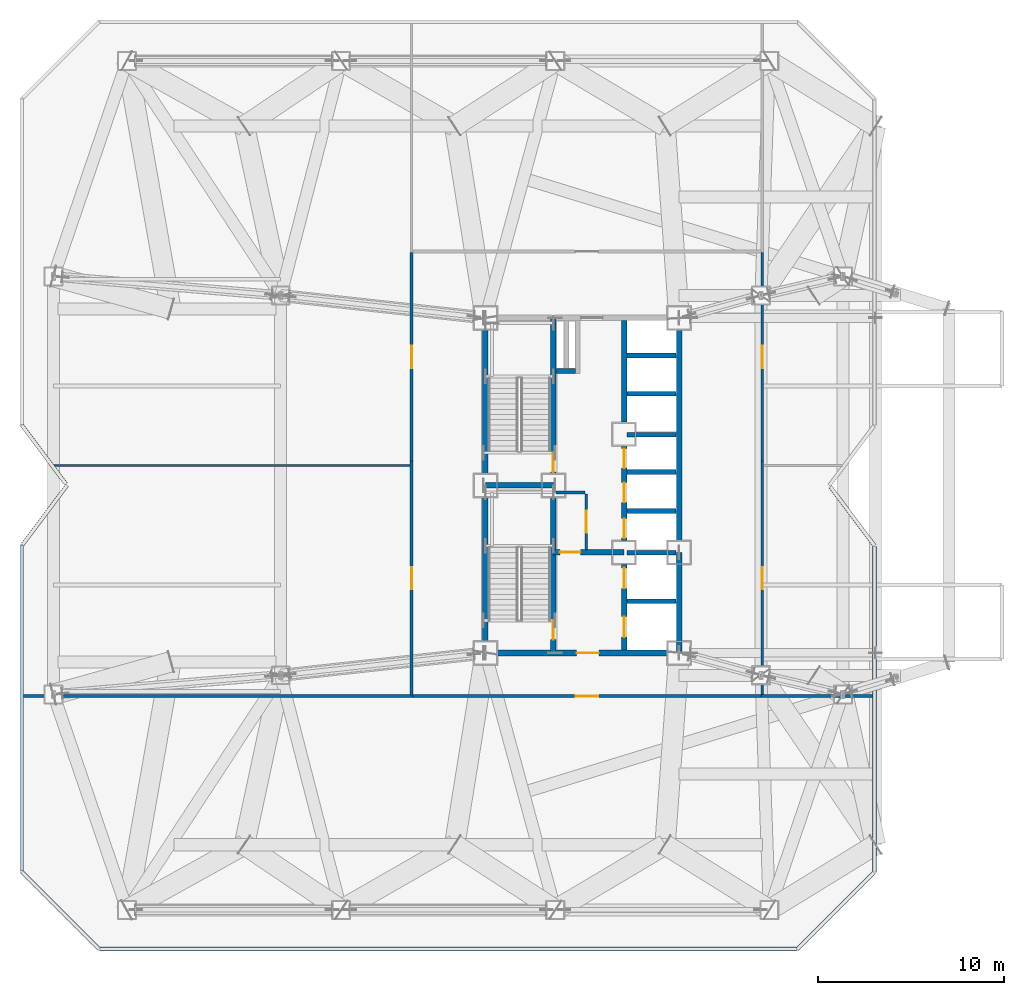
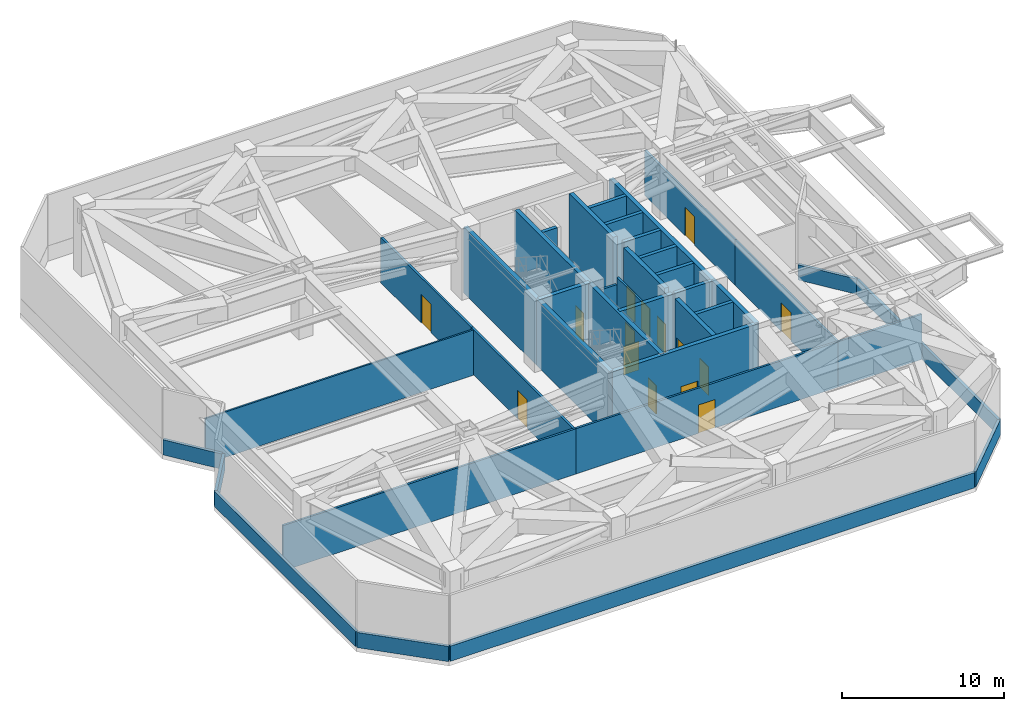
# One storey, part 14 of 18: 38 walls, 15 doors, 15 openings.
"""IFC4 building model written with IfcOpenShell, lengths in metres."""

from ifc_helpers import new_model, si_unit, direction, frame, frame_2d, origin, place, context, subcontext, project, spatial, rectangle, extrude, material, layer, layer_set, type_object, element, fill, save


model = new_model("IFC4")

# Units and contexts
model_context = context("Model", 3, precision=1e-05, world=origin(), true_north=direction((0.0, 1.0)))
body_context = subcontext(model_context, "Body", "Model", "MODEL_VIEW")
ifc_project = project(units=[si_unit("LENGTHUNIT", "METRE"), si_unit("AREAUNIT", "SQUARE_METRE"), si_unit("VOLUMEUNIT", "CUBIC_METRE"), si_unit("PLANEANGLEUNIT", "RADIAN"), si_unit("MASSUNIT", "GRAM", prefix="KILO")], contexts=[model_context])

# Site, building, storey
site_placement = place(None, origin())
site = spatial("IfcSite", under=ifc_project, at=site_placement, CompositionType="ELEMENT")
building_placement = place(site_placement, origin())
building = spatial("IfcBuilding", under=site, at=building_placement, Name="Khamvora Tower", CompositionType="ELEMENT")
storey_placement = place(building_placement, frame((0.0, 0.0, 84.39990234375)))
storey = spatial("IfcBuildingStorey", under=building, at=storey_placement, Name="L21", CompositionType="ELEMENT", Elevation=84.39990234375)

# Walls
ifc_material_1 = material(Name="Concrete C50/60", Category="concrete")
ifc_layer_1 = layer(ifc_material_1, 0.300048828125)
ifc_layer_set_1 = layer_set([ifc_layer_1], Name="Concrete C50/60")
wall_type_1 = type_object("IfcWallType", Name="WAL-CORE-300", PredefinedType="SHEAR", material=ifc_layer_set_1)
for number, where, z_axis, x_axis, name in (
    (1, (29.0, 19.0, 0.0), (0.0, 0.0, 1.0), (0.0, 1.0, 0.0), "L21 central core west south wall"),
    (2, (29.0, 28.0, 0.0), (0.0, 0.0, 1.0), (0.0, 1.0, 0.0), "L21 central core west north wall"),
):
    element("IfcWall", number, at=place(storey_placement, frame(where, z_axis=z_axis, x_axis=x_axis)), inside=storey, type_object=wall_type_1, Name=name, PredefinedType="SHEAR", context=body_context, shape_type="SweptSolid", body=[
        extrude(rectangle(XDim=9.0, YDim=0.300048828125, at=frame_2d((4.5, 0.0))), origin(), (0.0, 0.0, 1.0), 4.97998046875),
    ])

# Wall, opening, door
wall_1_placement = place(storey_placement, frame((29.0, 19.0, 0.0), z_axis=(0.0, 0.0, 1.0), x_axis=(1.0, 0.0, 0.0)))
wall_1 = element("IfcWall", 3, at=wall_1_placement, inside=storey, type_object=wall_type_1, Name="L21 central core south wall", PredefinedType="SHEAR", context=body_context, shape_type="SweptSolid", body=[
    extrude(rectangle(XDim=10.39990234375, YDim=0.300048828125, at=frame_2d((5.199951171875, 0.0))), origin(), (0.0, 0.0, 1.0), 4.97998046875),
])
opening_1_placement = place(wall_1_placement, frame((4.89990234375, 0.0, 0.0)))
opening_1 = element("IfcOpeningElement", 4, at=opening_1_placement, cuts=wall_1, Name="Opening D-CR1", PredefinedType="OPENING", context=body_context, shape_type="SweptSolid", body=[
    extrude(rectangle(XDim=1.199951171875, YDim=2.14990234375, at=frame_2d((0.60009765625, 1.074951171875))), frame((0.0, 0.159912109375, 0.0), z_axis=(0.0, -1.0, 0.0), x_axis=(1.0, 0.0, 0.0)), (0.0, 0.0, 1.0), 0.320068359375),
])
ifc_material_2 = material(Name="Powder-Coated Steel and Hardwood Leaf", Category="steel")
door_type_1 = type_object("IfcDoorType", Name="DOR-CORR-1200", OperationType="NOTDEFINED", PredefinedType="DOOR", material=ifc_material_2)
door_1_placement = place(opening_1_placement, origin())
door_1 = element("IfcDoor", 5, at=door_1_placement, inside=storey, type_object=door_type_1, Name="L21 south core lobby to corridor fire door", OperationType="SINGLE_SWING_RIGHT", OverallHeight=2.14990234375, OverallWidth=1.199951171875, PredefinedType="DOOR", context=body_context, shape_type="SweptSolid", body=[
    extrude(rectangle(XDim=1.199951171875, YDim=2.14990234375, at=frame_2d((0.60009765625, 1.074951171875))), frame((0.0, 0.02490234375, 0.0), z_axis=(0.0, -1.0, 0.0), x_axis=(1.0, 0.0, 0.0)), (0.0, 0.0, 1.0), 0.050048828125),
])
fill(opening_1, door_1)

# Walls
wall_2_placement = place(storey_placement, frame((39.39990234375, 19.0, 0.0), z_axis=(0.0, 0.0, 1.0), x_axis=(0.0, 1.0, 0.0)))
element("IfcWall", 6, at=wall_2_placement, inside=storey, type_object=wall_type_1, Name="L21 central core east south wall", PredefinedType="SHEAR", context=body_context, shape_type="SweptSolid", body=[
    extrude(rectangle(XDim=5.39990234375, YDim=0.300048828125, at=frame_2d((2.699951171875, 0.0))), origin(), (0.0, 0.0, 1.0), 4.97998046875),
])
wall_3_placement = place(storey_placement, frame((39.39990234375, 24.39990234375, 0.0), z_axis=(0.0, 0.0, 1.0), x_axis=(0.0, 1.0, 0.0)))
element("IfcWall", 7, at=wall_3_placement, inside=storey, type_object=wall_type_1, Name="L21 central core east north wall", PredefinedType="SHEAR", context=body_context, shape_type="SweptSolid", body=[
    extrude(rectangle(XDim=12.60009765625, YDim=0.300048828125, at=frame_2d((6.300048828125, 0.0))), origin(), (0.0, 0.0, 1.0), 4.97998046875),
])

# Wall, opening, door
wall_4_placement = place(storey_placement, frame((32.64990234375, 19.0, 0.0), z_axis=(0.0, 0.0, 1.0), x_axis=(0.0, 1.0, 0.0)))
wall_4 = element("IfcWall", 8, at=wall_4_placement, inside=storey, type_object=wall_type_1, Name="L21 central core stair south spine wall", PredefinedType="SHEAR", context=body_context, shape_type="SweptSolid", body=[
    extrude(rectangle(XDim=9.0, YDim=0.300048828125, at=frame_2d((4.5, 0.0))), origin(), (0.0, 0.0, 1.0), 4.97998046875),
])
opening_2_placement = place(wall_4_placement, frame((0.719970703125, 0.0, 0.0)))
opening_2 = element("IfcOpeningElement", 9, at=opening_2_placement, cuts=wall_4, Name="Opening D-ST1", PredefinedType="OPENING", context=body_context, shape_type="SweptSolid", body=[
    extrude(rectangle(XDim=1.0, YDim=2.14990234375, at=frame_2d((0.5, 1.074951171875))), frame((0.0, 0.159912109375, 0.0), z_axis=(0.0, -1.0, 0.0), x_axis=(1.0, 0.0, 0.0)), (0.0, 0.0, 1.0), 0.320068359375),
])
door_type_2 = type_object("IfcDoorType", Name="DOR-STAIR-1000", OperationType="NOTDEFINED", PredefinedType="DOOR", material=ifc_material_2)
door_2_placement = place(opening_2_placement, origin())
door_2 = element("IfcDoor", 10, at=door_2_placement, inside=storey, type_object=door_type_2, Name="L21 exit stair ST-01 fire door", OperationType="SINGLE_SWING_RIGHT", OverallHeight=2.14990234375, OverallWidth=1.0, PredefinedType="DOOR", context=body_context, shape_type="SweptSolid", body=[
    extrude(rectangle(XDim=1.0, YDim=2.14990234375, at=frame_2d((0.5, 1.074951171875))), frame((0.0, 0.02490234375, 0.0), z_axis=(0.0, -1.0, 0.0), x_axis=(1.0, 0.0, 0.0)), (0.0, 0.0, 1.0), 0.050048828125),
])
fill(opening_2, door_2)

wall_5_placement = place(storey_placement, frame((32.64990234375, 28.0, 0.0), z_axis=(0.0, 0.0, 1.0), x_axis=(0.0, 1.0, 0.0)))
wall_5 = element("IfcWall", 11, at=wall_5_placement, inside=storey, type_object=wall_type_1, Name="L21 central core stair north spine wall", PredefinedType="SHEAR", context=body_context, shape_type="SweptSolid", body=[
    extrude(rectangle(XDim=9.0, YDim=0.300048828125, at=frame_2d((4.5, 0.0))), origin(), (0.0, 0.0, 1.0), 4.97998046875),
])
opening_3_placement = place(wall_5_placement, frame((0.719970703125, 0.0, 0.0)))
opening_3 = element("IfcOpeningElement", 12, at=opening_3_placement, cuts=wall_5, Name="Opening D-ST1", PredefinedType="OPENING", context=body_context, shape_type="SweptSolid", body=[
    extrude(rectangle(XDim=1.0, YDim=2.14990234375, at=frame_2d((0.5, 1.074951171875))), frame((0.0, 0.159912109375, 0.0), z_axis=(0.0, -1.0, 0.0), x_axis=(1.0, 0.0, 0.0)), (0.0, 0.0, 1.0), 0.320068359375),
])
door_3_placement = place(opening_3_placement, origin())
door_3 = element("IfcDoor", 13, at=door_3_placement, inside=storey, type_object=door_type_2, Name="L21 exit stair ST-02 fire door", OperationType="SINGLE_SWING_RIGHT", OverallHeight=2.14990234375, OverallWidth=1.0, PredefinedType="DOOR", context=body_context, shape_type="SweptSolid", body=[
    extrude(rectangle(XDim=1.0, YDim=2.14990234375, at=frame_2d((0.5, 1.074951171875))), frame((0.0, 0.02490234375, 0.0), z_axis=(0.0, -1.0, 0.0), x_axis=(1.0, 0.0, 0.0)), (0.0, 0.0, 1.0), 0.050048828125),
])
fill(opening_3, door_3)

# Wall
wall_6_placement = place(storey_placement, frame((29.0, 28.0, 0.0), z_axis=(0.0, 0.0, 1.0), x_axis=(1.0, 0.0, 0.0)))
element("IfcWall", 14, at=wall_6_placement, inside=storey, type_object=wall_type_1, Name="L21 central core stair cross wall", PredefinedType="SHEAR", context=body_context, shape_type="SweptSolid", body=[
    extrude(rectangle(XDim=3.64990234375, YDim=0.300048828125, at=frame_2d((1.824951171875, 0.0))), origin(), (0.0, 0.0, 1.0), 4.97998046875),
])

# Wall, opening, door
wall_7_placement = place(storey_placement, frame((32.64990234375, 24.39990234375, 0.0), z_axis=(0.0, 0.0, 1.0), x_axis=(1.0, 0.0, 0.0)))
wall_7 = element("IfcWall", 15, at=wall_7_placement, inside=storey, type_object=wall_type_1, Name="L21 central core firefighting lobby north wall", PredefinedType="SHEAR", context=body_context, shape_type="SweptSolid", body=[
    extrude(rectangle(XDim=3.800048828125, YDim=0.300048828125, at=frame_2d((1.89990234375, 0.0))), origin(), (0.0, 0.0, 1.0), 4.97998046875),
])
opening_4_placement = place(wall_7_placement, frame((0.35009765625, 0.0, 0.0)))
opening_4 = element("IfcOpeningElement", 16, at=opening_4_placement, cuts=wall_7, Name="Opening D-FF1", PredefinedType="OPENING", context=body_context, shape_type="SweptSolid", body=[
    extrude(rectangle(XDim=1.10009765625, YDim=2.14990234375, at=frame_2d((0.550048828125, 1.074951171875))), frame((0.0, 0.159912109375, 0.0), z_axis=(0.0, -1.0, 0.0), x_axis=(1.0, 0.0, 0.0)), (0.0, 0.0, 1.0), 0.320068359375),
])
door_type_3 = type_object("IfcDoorType", Name="DOR-FFLOB-1100", OperationType="NOTDEFINED", PredefinedType="DOOR", material=ifc_material_2)
door_4_placement = place(opening_4_placement, origin())
door_4 = element("IfcDoor", 17, at=door_4_placement, inside=storey, type_object=door_type_3, Name="L21 firefighting lobby smoke-seal fire door", OperationType="SINGLE_SWING_LEFT", OverallHeight=2.14990234375, OverallWidth=1.10009765625, PredefinedType="DOOR", context=body_context, shape_type="SweptSolid", body=[
    extrude(rectangle(XDim=1.10009765625, YDim=2.14990234375, at=frame_2d((0.550048828125, 1.074951171875))), frame((0.0, 0.02490234375, 0.0), z_axis=(0.0, -1.0, 0.0), x_axis=(1.0, 0.0, 0.0)), (0.0, 0.0, 1.0), 0.050048828125),
])
fill(opening_4, door_4)

# Wall, openings, doors
wall_8_placement = place(storey_placement, frame((36.449951171875, 19.154052734375, 0.0), z_axis=(0.0, 0.0, 1.0), x_axis=(0.0, 1.0, 0.0)))
wall_8 = element("IfcWall", 18, at=wall_8_placement, inside=storey, type_object=wall_type_1, Name="L21 central core lift bank south wall", PredefinedType="SHEAR", context=body_context, shape_type="SweptSolid", body=[
    extrude(rectangle(XDim=4.595947265625, YDim=0.300048828125, at=frame_2d((2.2978515625, 0.0))), origin(), (0.0, 0.0, 1.0), 4.97998046875),
])
opening_5_placement = place(wall_8_placement, frame((0.696044921875, 0.0, 0.0)))
opening_5 = element("IfcOpeningElement", 19, at=opening_5_placement, cuts=wall_8, Name="Opening LD-FFL", PredefinedType="OPENING", context=body_context, shape_type="SweptSolid", body=[
    extrude(rectangle(XDim=1.10009765625, YDim=2.14990234375, at=frame_2d((0.550048828125, 1.074951171875))), frame((0.0, 0.159912109375, 0.0), z_axis=(0.0, -1.0, 0.0), x_axis=(1.0, 0.0, 0.0)), (0.0, 0.0, 1.0), 0.320068359375),
])
opening_6_placement = place(wall_8_placement, frame((3.31591796875, 0.0, 0.0)))
opening_6 = element("IfcOpeningElement", 20, at=opening_6_placement, cuts=wall_8, Name="Opening LD-FFL", PredefinedType="OPENING", context=body_context, shape_type="SweptSolid", body=[
    extrude(rectangle(XDim=1.10009765625, YDim=2.14990234375, at=frame_2d((0.550048828125, 1.074951171875))), frame((0.0, 0.159912109375, 0.0), z_axis=(0.0, -1.0, 0.0), x_axis=(1.0, 0.0, 0.0)), (0.0, 0.0, 1.0), 0.320068359375),
])
door_type_4 = type_object("IfcDoorType", Name="DOR-LIFT-1100", OperationType="SLIDING_TO_LEFT", PredefinedType="DOOR", material=ifc_material_2)
door_5_placement = place(opening_5_placement, origin())
door_5 = element("IfcDoor", 21, at=door_5_placement, inside=storey, type_object=door_type_4, Name="L21 lift landing sliding door FFL-01", OperationType="SLIDING_TO_LEFT", OverallHeight=2.14990234375, OverallWidth=1.10009765625, PredefinedType="DOOR", context=body_context, shape_type="SweptSolid", body=[
    extrude(rectangle(XDim=1.10009765625, YDim=2.14990234375, at=frame_2d((0.550048828125, 1.074951171875))), frame((0.0, 0.02490234375, 0.0), z_axis=(0.0, -1.0, 0.0), x_axis=(1.0, 0.0, 0.0)), (0.0, 0.0, 1.0), 0.050048828125),
])
fill(opening_5, door_5)
door_6_placement = place(opening_6_placement, origin())
door_6 = element("IfcDoor", 22, at=door_6_placement, inside=storey, type_object=door_type_4, Name="L21 lift landing sliding door FFL-02", OperationType="SLIDING_TO_LEFT", OverallHeight=2.14990234375, OverallWidth=1.10009765625, PredefinedType="DOOR", context=body_context, shape_type="SweptSolid", body=[
    extrude(rectangle(XDim=1.10009765625, YDim=2.14990234375, at=frame_2d((0.550048828125, 1.074951171875))), frame((0.0, 0.02490234375, 0.0), z_axis=(0.0, -1.0, 0.0), x_axis=(1.0, 0.0, 0.0)), (0.0, 0.0, 1.0), 0.050048828125),
])
fill(opening_6, door_6)

wall_9_placement = place(storey_placement, frame((36.449951171875, 25.050048828125, 0.0), z_axis=(0.0, 0.0, 1.0), x_axis=(0.0, 1.0, 0.0)))
wall_9 = element("IfcWall", 23, at=wall_9_placement, inside=storey, type_object=wall_type_1, Name="L21 central core lift bank central wall", PredefinedType="SHEAR", context=body_context, shape_type="SweptSolid", body=[
    extrude(rectangle(XDim=5.050048828125, YDim=0.300048828125, at=frame_2d((2.52490234375, 0.0))), origin(), (0.0, 0.0, 1.0), 4.97998046875),
])
opening_7_placement = place(wall_9_placement, frame((0.1201171875, 0.0, 0.0)))
opening_7 = element("IfcOpeningElement", 24, at=opening_7_placement, cuts=wall_9, Name="Opening LD-PL", PredefinedType="OPENING", context=body_context, shape_type="SweptSolid", body=[
    extrude(rectangle(XDim=1.050048828125, YDim=2.14990234375, at=frame_2d((0.52490234375, 1.074951171875))), frame((0.0, 0.159912109375, 0.0), z_axis=(0.0, -1.0, 0.0), x_axis=(1.0, 0.0, 0.0)), (0.0, 0.0, 1.0), 0.320068359375),
])
opening_8_placement = place(wall_9_placement, frame((2.044921875, 0.0, 0.0)))
opening_8 = element("IfcOpeningElement", 25, at=opening_8_placement, cuts=wall_9, Name="Opening LD-PL", PredefinedType="OPENING", context=body_context, shape_type="SweptSolid", body=[
    extrude(rectangle(XDim=1.050048828125, YDim=2.14990234375, at=frame_2d((0.52490234375, 1.074951171875))), frame((0.0, 0.159912109375, 0.0), z_axis=(0.0, -1.0, 0.0), x_axis=(1.0, 0.0, 0.0)), (0.0, 0.0, 1.0), 0.320068359375),
])
opening_9_placement = place(wall_9_placement, frame((3.8798828125, 0.0, 0.0)))
opening_9 = element("IfcOpeningElement", 26, at=opening_9_placement, cuts=wall_9, Name="Opening LD-PL", PredefinedType="OPENING", context=body_context, shape_type="SweptSolid", body=[
    extrude(rectangle(XDim=1.050048828125, YDim=2.14990234375, at=frame_2d((0.52490234375, 1.074951171875))), frame((0.0, 0.159912109375, 0.0), z_axis=(0.0, -1.0, 0.0), x_axis=(1.0, 0.0, 0.0)), (0.0, 0.0, 1.0), 0.320068359375),
])
door_type_5 = type_object("IfcDoorType", Name="DOR-LIFT-1050", OperationType="SLIDING_TO_LEFT", PredefinedType="DOOR", material=ifc_material_2)
door_7_placement = place(opening_7_placement, origin())
door_7 = element("IfcDoor", 27, at=door_7_placement, inside=storey, type_object=door_type_5, Name="L21 lift landing sliding door PL-01", OperationType="SLIDING_TO_LEFT", OverallHeight=2.14990234375, OverallWidth=1.050048828125, PredefinedType="DOOR", context=body_context, shape_type="SweptSolid", body=[
    extrude(rectangle(XDim=1.050048828125, YDim=2.14990234375, at=frame_2d((0.52490234375, 1.074951171875))), frame((0.0, 0.02490234375, 0.0), z_axis=(0.0, -1.0, 0.0), x_axis=(1.0, 0.0, 0.0)), (0.0, 0.0, 1.0), 0.050048828125),
])
fill(opening_7, door_7)
door_8_placement = place(opening_8_placement, origin())
door_8 = element("IfcDoor", 28, at=door_8_placement, inside=storey, type_object=door_type_5, Name="L21 lift landing sliding door PL-02", OperationType="SLIDING_TO_LEFT", OverallHeight=2.14990234375, OverallWidth=1.050048828125, PredefinedType="DOOR", context=body_context, shape_type="SweptSolid", body=[
    extrude(rectangle(XDim=1.050048828125, YDim=2.14990234375, at=frame_2d((0.52490234375, 1.074951171875))), frame((0.0, 0.02490234375, 0.0), z_axis=(0.0, -1.0, 0.0), x_axis=(1.0, 0.0, 0.0)), (0.0, 0.0, 1.0), 0.050048828125),
])
fill(opening_8, door_8)
door_9_placement = place(opening_9_placement, origin())
door_9 = element("IfcDoor", 29, at=door_9_placement, inside=storey, type_object=door_type_5, Name="L21 lift landing sliding door PL-03", OperationType="SLIDING_TO_LEFT", OverallHeight=2.14990234375, OverallWidth=1.050048828125, PredefinedType="DOOR", context=body_context, shape_type="SweptSolid", body=[
    extrude(rectangle(XDim=1.050048828125, YDim=2.14990234375, at=frame_2d((0.52490234375, 1.074951171875))), frame((0.0, 0.02490234375, 0.0), z_axis=(0.0, -1.0, 0.0), x_axis=(1.0, 0.0, 0.0)), (0.0, 0.0, 1.0), 0.050048828125),
])
fill(opening_9, door_9)

# Walls
wall_10_placement = place(storey_placement, frame((36.449951171875, 31.39990234375, 0.0), z_axis=(0.0, 0.0, 1.0), x_axis=(0.0, 1.0, 0.0)))
element("IfcWall", 30, at=wall_10_placement, inside=storey, type_object=wall_type_1, Name="L21 central core lift bank north wall", PredefinedType="SHEAR", context=body_context, shape_type="SweptSolid", body=[
    extrude(rectangle(XDim=5.446044921875, YDim=0.300048828125, at=frame_2d((2.72314453125, 0.0))), origin(), (0.0, 0.0, 1.0), 4.97998046875),
])
ifc_material_3 = material(Name="Fire-Rated Drywall and Steel Stud", Category="steel")
ifc_layer_2 = layer(ifc_material_3, 0.14990234375)
ifc_layer_set_2 = layer_set([ifc_layer_2], Name="Fire-Rated Drywall and Steel Stud")
wall_type_2 = type_object("IfcWallType", Name="WAL-CORR-150", PredefinedType="STANDARD", material=ifc_layer_set_2)
wall_11_placement = place(storey_placement, frame((32.7939453125, 27.614990234375, 0.0), z_axis=(0.0, 0.0, 1.0), x_axis=(1.0, 0.0, 0.0)))
element("IfcWall", 31, at=wall_11_placement, inside=storey, type_object=wall_type_2, Name="L21 interior partition wall 001", PredefinedType="STANDARD", context=body_context, shape_type="SweptSolid", body=[
    extrude(rectangle(XDim=1.55615234375, YDim=0.14990234375, at=frame_2d((0.778076171875, 0.0))), origin(), (0.0, 0.0, 1.0), 4.43701171875),
])

# Wall, opening, door
wall_12_placement = place(storey_placement, frame((34.4150390625, 27.550048828125, 0.0), z_axis=(0.0, 0.0, 1.0), x_axis=(0.0, -1.0, 0.0)))
wall_12 = element("IfcWall", 32, at=wall_12_placement, inside=storey, type_object=wall_type_2, Name="L21 interior partition wall 002", PredefinedType="STANDARD", context=body_context, shape_type="SweptSolid", body=[
    extrude(rectangle(XDim=3.006103515625, YDim=0.14990234375, at=frame_2d((1.5029296875, 0.0))), origin(), (0.0, 0.0, 1.0), 4.97998046875),
])
opening_10_placement = place(wall_12_placement, frame((0.903076171875, 0.0, 0.0)))
opening_10 = element("IfcOpeningElement", 33, at=opening_10_placement, cuts=wall_12, Name="Opening D-PL1", PredefinedType="OPENING", context=body_context, shape_type="SweptSolid", body=[
    extrude(rectangle(XDim=1.199951171875, YDim=2.14990234375, at=frame_2d((0.60009765625, 1.074951171875))), frame((0.0, 0.0849609375, 0.0), z_axis=(0.0, -1.0, 0.0), x_axis=(1.0, 0.0, 0.0)), (0.0, 0.0, 1.0), 0.169921875),
])
door_type_6 = type_object("IfcDoorType", Name="DOR-PLNT-1200", OperationType="NOTDEFINED", PredefinedType="DOOR", material=ifc_material_2)
door_10_placement = place(opening_10_placement, origin())
door_10 = element("IfcDoor", 34, at=door_10_placement, inside=storey, type_object=door_type_6, Name="L21 interior door CSR-PCR", OperationType="SINGLE_SWING_RIGHT", OverallHeight=2.14990234375, OverallWidth=1.199951171875, PredefinedType="DOOR", context=body_context, shape_type="SweptSolid", body=[
    extrude(rectangle(XDim=1.199951171875, YDim=2.14990234375, at=frame_2d((0.60009765625, 1.074951171875))), frame((0.0, 0.02490234375, 0.0), z_axis=(0.0, -1.0, 0.0), x_axis=(1.0, 0.0, 0.0)), (0.0, 0.0, 1.0), 0.050048828125),
])
fill(opening_10, door_10)

wall_13_placement = place(storey_placement, frame((43.800048828125, 16.68505859375, 0.0), z_axis=(0.0, 0.0, 1.0), x_axis=(-1.0, 0.0, 0.0)))
wall_13 = element("IfcWall", 35, at=wall_13_placement, inside=storey, type_object=wall_type_2, Name="L21 interior partition wall 003", PredefinedType="STANDARD", context=body_context, shape_type="SweptSolid", body=[
    extrude(rectangle(XDim=18.699951171875, YDim=0.14990234375, at=frame_2d((9.35009765625, 0.0))), origin(), (0.0, 0.0, 1.0), 3.420166015625),
])
opening_11_placement = place(wall_13_placement, frame((8.75, 0.0, 0.0)))
opening_11 = element("IfcOpeningElement", 36, at=opening_11_placement, cuts=wall_13, Name="Opening D-PL1", PredefinedType="OPENING", context=body_context, shape_type="SweptSolid", body=[
    extrude(rectangle(XDim=1.199951171875, YDim=2.14990234375, at=frame_2d((0.60009765625, 1.074951171875))), frame((0.0, 0.0849609375, 0.0), z_axis=(0.0, -1.0, 0.0), x_axis=(1.0, 0.0, 0.0)), (0.0, 0.0, 1.0), 0.169921875),
])
door_11_placement = place(opening_11_placement, origin())
door_11 = element("IfcDoor", 37, at=door_11_placement, inside=storey, type_object=door_type_6, Name="L21 interior door PCOR-REF", OperationType="SINGLE_SWING_LEFT", OverallHeight=2.14990234375, OverallWidth=1.199951171875, PredefinedType="DOOR", context=body_context, shape_type="SweptSolid", body=[
    extrude(rectangle(XDim=1.199951171875, YDim=2.14990234375, at=frame_2d((0.60009765625, 1.074951171875))), frame((0.0, 0.02490234375, 0.0), z_axis=(0.0, -1.0, 0.0), x_axis=(1.0, 0.0, 0.0)), (0.0, 0.0, 1.0), 0.050048828125),
])
fill(opening_11, door_11)

wall_14_placement = place(storey_placement, frame((25.034912109375, 16.75, 0.0), z_axis=(0.0, 0.0, 1.0), x_axis=(0.0, 1.0, 0.0)))
wall_14 = element("IfcWall", 38, at=wall_14_placement, inside=storey, type_object=wall_type_2, Name="L21 interior partition wall 004", PredefinedType="STANDARD", context=body_context, shape_type="SweptSolid", body=[
    extrude(rectangle(XDim=12.56396484375, YDim=0.14990234375, at=frame_2d((6.281982421875, 0.0))), origin(), (0.0, 0.0, 1.0), 3.420166015625),
])
opening_12_placement = place(wall_14_placement, frame((5.660888671875, 0.0, 0.0)))
opening_12 = element("IfcOpeningElement", 39, at=opening_12_placement, cuts=wall_14, Name="Opening D-PL1", PredefinedType="OPENING", context=body_context, shape_type="SweptSolid", body=[
    extrude(rectangle(XDim=1.199951171875, YDim=2.14990234375, at=frame_2d((0.60009765625, 1.074951171875))), frame((0.0, 0.0849609375, 0.0), z_axis=(0.0, -1.0, 0.0), x_axis=(1.0, 0.0, 0.0)), (0.0, 0.0, 1.0), 0.169921875),
])
door_12_placement = place(opening_12_placement, origin())
door_12 = element("IfcDoor", 40, at=door_12_placement, inside=storey, type_object=door_type_6, Name="L21 interior door PCOR-AHU", OperationType="SINGLE_SWING_RIGHT", OverallHeight=2.14990234375, OverallWidth=1.199951171875, PredefinedType="DOOR", context=body_context, shape_type="SweptSolid", body=[
    extrude(rectangle(XDim=1.199951171875, YDim=2.14990234375, at=frame_2d((0.60009765625, 1.074951171875))), frame((0.0, 0.02490234375, 0.0), z_axis=(0.0, -1.0, 0.0), x_axis=(1.0, 0.0, 0.0)), (0.0, 0.0, 1.0), 0.050048828125),
])
fill(opening_12, door_12)

wall_15_placement = place(storey_placement, frame((25.034912109375, 29.31396484375, 0.0), z_axis=(0.0, 0.0, 1.0), x_axis=(0.0, 1.0, 0.0)))
wall_15 = element("IfcWall", 41, at=wall_15_placement, inside=storey, type_object=wall_type_2, Name="L21 interior partition wall 005", PredefinedType="STANDARD", context=body_context, shape_type="SweptSolid", body=[
    extrude(rectangle(XDim=11.18603515625, YDim=0.14990234375, at=frame_2d((5.593017578125, 0.0))), origin(), (0.0, 0.0, 1.0), 3.420166015625),
])
opening_13_placement = place(wall_15_placement, frame((4.992919921875, 0.0, 0.0)))
opening_13 = element("IfcOpeningElement", 42, at=opening_13_placement, cuts=wall_15, Name="Opening D-PL1", PredefinedType="OPENING", context=body_context, shape_type="SweptSolid", body=[
    extrude(rectangle(XDim=1.199951171875, YDim=2.14990234375, at=frame_2d((0.60009765625, 1.074951171875))), frame((0.0, 0.0849609375, 0.0), z_axis=(0.0, -1.0, 0.0), x_axis=(1.0, 0.0, 0.0)), (0.0, 0.0, 1.0), 0.169921875),
])
door_13_placement = place(opening_13_placement, origin())
door_13 = element("IfcDoor", 43, at=door_13_placement, inside=storey, type_object=door_type_6, Name="L21 interior door PCOR-SMK", OperationType="SINGLE_SWING_LEFT", OverallHeight=2.14990234375, OverallWidth=1.199951171875, PredefinedType="DOOR", context=body_context, shape_type="SweptSolid", body=[
    extrude(rectangle(XDim=1.199951171875, YDim=2.14990234375, at=frame_2d((0.60009765625, 1.074951171875))), frame((0.0, 0.02490234375, 0.0), z_axis=(0.0, -1.0, 0.0), x_axis=(1.0, 0.0, 0.0)), (0.0, 0.0, 1.0), 0.050048828125),
])
fill(opening_13, door_13)

wall_16_placement = place(storey_placement, frame((43.864990234375, 29.31396484375, 0.0), z_axis=(0.0, 0.0, 1.0), x_axis=(0.0, -1.0, 0.0)))
wall_16 = element("IfcWall", 44, at=wall_16_placement, inside=storey, type_object=wall_type_2, Name="L21 interior partition wall 006", PredefinedType="STANDARD", context=body_context, shape_type="SweptSolid", body=[
    extrude(rectangle(XDim=12.56396484375, YDim=0.14990234375, at=frame_2d((6.281982421875, 0.0))), origin(), (0.0, 0.0, 1.0), 3.420166015625),
])
opening_14_placement = place(wall_16_placement, frame((5.702880859375, 0.0, 0.0)))
opening_14 = element("IfcOpeningElement", 45, at=opening_14_placement, cuts=wall_16, Name="Opening D-PL1", PredefinedType="OPENING", context=body_context, shape_type="SweptSolid", body=[
    extrude(rectangle(XDim=1.199951171875, YDim=2.14990234375, at=frame_2d((0.60009765625, 1.074951171875))), frame((0.0, 0.0849609375, 0.0), z_axis=(0.0, -1.0, 0.0), x_axis=(1.0, 0.0, 0.0)), (0.0, 0.0, 1.0), 0.169921875),
])
door_14_placement = place(opening_14_placement, origin())
door_14 = element("IfcDoor", 46, at=door_14_placement, inside=storey, type_object=door_type_6, Name="L21 interior door PCOR-CHL", OperationType="SINGLE_SWING_RIGHT", OverallHeight=2.14990234375, OverallWidth=1.199951171875, PredefinedType="DOOR", context=body_context, shape_type="SweptSolid", body=[
    extrude(rectangle(XDim=1.199951171875, YDim=2.14990234375, at=frame_2d((0.60009765625, 1.074951171875))), frame((0.0, 0.02490234375, 0.0), z_axis=(0.0, -1.0, 0.0), x_axis=(1.0, 0.0, 0.0)), (0.0, 0.0, 1.0), 0.050048828125),
])
fill(opening_14, door_14)

wall_17_placement = place(storey_placement, frame((43.864990234375, 40.5, 0.0), z_axis=(0.0, 0.0, 1.0), x_axis=(0.0, -1.0, 0.0)))
wall_17 = element("IfcWall", 47, at=wall_17_placement, inside=storey, type_object=wall_type_2, Name="L21 interior partition wall 007", PredefinedType="STANDARD", context=body_context, shape_type="SweptSolid", body=[
    extrude(rectangle(XDim=11.18603515625, YDim=0.14990234375, at=frame_2d((5.593017578125, 0.0))), origin(), (0.0, 0.0, 1.0), 3.420166015625),
])
opening_15_placement = place(wall_17_placement, frame((4.992919921875, 0.0, 0.0)))
opening_15 = element("IfcOpeningElement", 48, at=opening_15_placement, cuts=wall_17, Name="Opening D-PL1", PredefinedType="OPENING", context=body_context, shape_type="SweptSolid", body=[
    extrude(rectangle(XDim=1.199951171875, YDim=2.14990234375, at=frame_2d((0.60009765625, 1.074951171875))), frame((0.0, 0.0849609375, 0.0), z_axis=(0.0, -1.0, 0.0), x_axis=(1.0, 0.0, 0.0)), (0.0, 0.0, 1.0), 0.169921875),
])
door_15_placement = place(opening_15_placement, origin())
door_15 = element("IfcDoor", 49, at=door_15_placement, inside=storey, type_object=door_type_6, Name="L21 interior door PCOR-ELP", OperationType="SINGLE_SWING_LEFT", OverallHeight=2.14990234375, OverallWidth=1.199951171875, PredefinedType="DOOR", context=body_context, shape_type="SweptSolid", body=[
    extrude(rectangle(XDim=1.199951171875, YDim=2.14990234375, at=frame_2d((0.60009765625, 1.074951171875))), frame((0.0, 0.02490234375, 0.0), z_axis=(0.0, -1.0, 0.0), x_axis=(1.0, 0.0, 0.0)), (0.0, 0.0, 1.0), 0.050048828125),
])
fill(opening_15, door_15)

# Walls
wall_18_placement = place(storey_placement, frame((4.19189453125, 16.68505859375, 0.0), z_axis=(0.0, 0.0, 1.0), x_axis=(1.0, 0.0, 0.0)))
element("IfcWall", 50, at=wall_18_placement, inside=storey, type_object=wall_type_2, Name="L21 interior partition wall 009", PredefinedType="STANDARD", context=body_context, shape_type="SweptSolid", body=[
    extrude(rectangle(XDim=20.908203125, YDim=0.14990234375, at=frame_2d((10.4541015625, 0.0))), origin(), (0.0, 0.0, 1.0), 3.420166015625),
])
wall_19_placement = place(storey_placement, frame((43.800048828125, 16.68505859375, 0.0), z_axis=(0.0, 0.0, 1.0), x_axis=(1.0, 0.0, 0.0)))
element("IfcWall", 51, at=wall_19_placement, inside=storey, type_object=wall_type_2, Name="L21 interior partition wall 010", PredefinedType="STANDARD", context=body_context, shape_type="SweptSolid", body=[
    extrude(rectangle(XDim=6.008056640625, YDim=0.14990234375, at=frame_2d((3.00390625, 0.0))), origin(), (0.0, 0.0, 1.0), 3.420166015625),
])
ifc_material_4 = material(Name="Precast concrete C40/50", Category="concrete")
ifc_layer_3 = layer(ifc_material_4, 0.199951171875)
ifc_layer_set_3 = layer_set([ifc_layer_3], Name="Precast concrete C40/50")
wall_type_3 = type_object("IfcWallType", Name="WAL-EXT-200", PredefinedType="STANDARD", material=ifc_layer_set_3)
wall_20_placement = place(storey_placement, frame((8.240966796875, 3.10009765625, 0.0), z_axis=(0.0, 0.0, 1.0), x_axis=(-0.707106781187, 0.707106781187, 0.0)))
element("IfcWall", 52, at=wall_20_placement, inside=storey, type_object=wall_type_3, Name="L21 plant perimeter spandrel wall 01.1", PredefinedType="STANDARD", context=body_context, shape_type="SweptSolid", body=[
    extrude(rectangle(XDim=5.85595703125, YDim=0.199951171875, at=frame_2d((2.927978515625, 0.0))), origin(), (0.0, 0.0, 1.0), 1.150146484375),
])
wall_21_placement = place(storey_placement, frame((4.10009765625, 7.303955078125, 0.0), z_axis=(0.0, 0.0, 1.0), x_axis=(0.0, 1.0, 0.0)))
element("IfcWall", 53, at=wall_21_placement, inside=storey, type_object=wall_type_3, Name="L21 plant perimeter spandrel wall 02.1", PredefinedType="STANDARD", context=body_context, shape_type="SweptSolid", body=[
    extrude(rectangle(XDim=17.463134765625, YDim=0.199951171875, at=frame_2d((8.7314453125, 0.0))), origin(), (0.0, 0.0, 1.0), 1.150146484375),
])
wall_22_placement = place(storey_placement, frame((4.1298828125, 24.806884765625, 0.0), z_axis=(0.0, 0.0, 1.0), x_axis=(0.600029358831, 0.799977980035, 0.0)))
element("IfcWall", 54, at=wall_22_placement, inside=storey, type_object=wall_type_3, Name="L21 plant perimeter spandrel wall 03.1", PredefinedType="STANDARD", context=body_context, shape_type="SweptSolid", body=[
    extrude(rectangle(XDim=3.991455078125, YDim=0.199951171875, at=frame_2d((1.99560546875, 0.0))), origin(), (0.0, 0.0, 1.0), 1.150146484375),
])
for number, where, z_axis, x_axis, name in (
    (55, (6.472900390625, 28.069091796875, 0.0), (0.0, 0.0, 1.0), (-0.599990122557, 0.800007407987, 0.0), "L21 plant perimeter spandrel wall 04.1"),
    (56, (47.527099609375, 27.930908203125, 0.0), (0.0, 0.0, 1.0), (0.599990122557, -0.800007407987, 0.0), "L21 plant perimeter spandrel wall 11.1"),
):
    element("IfcWall", number, at=place(storey_placement, frame(where, z_axis=z_axis, x_axis=x_axis)), inside=storey, type_object=wall_type_3, Name=name, PredefinedType="STANDARD", context=body_context, shape_type="SweptSolid", body=[
        extrude(rectangle(XDim=3.954833984375, YDim=0.199951171875, at=frame_2d((1.9775390625, 0.0))), origin(), (0.0, 0.0, 1.0), 1.150146484375),
    ])
wall_23_placement = place(storey_placement, frame((49.89990234375, 24.717041015625, 0.0), z_axis=(0.0, 0.0, 1.0), x_axis=(0.0, -1.0, 0.0)))
element("IfcWall", 57, at=wall_23_placement, inside=storey, type_object=wall_type_3, Name="L21 plant perimeter spandrel wall 12.1", PredefinedType="STANDARD", context=body_context, shape_type="SweptSolid", body=[
    extrude(rectangle(XDim=17.47607421875, YDim=0.199951171875, at=frame_2d((8.738037109375, 0.0))), origin(), (0.0, 0.0, 1.0), 1.150146484375),
])
wall_24_placement = place(storey_placement, frame((49.85693359375, 7.197998046875, 0.0), z_axis=(0.0, 0.0, 1.0), x_axis=(-0.707106781187, -0.707106781187, 0.0)))
element("IfcWall", 58, at=wall_24_placement, inside=storey, type_object=wall_type_3, Name="L21 plant perimeter spandrel wall 13.1", PredefinedType="STANDARD", context=body_context, shape_type="SweptSolid", body=[
    extrude(rectangle(XDim=5.79541015625, YDim=0.199951171875, at=frame_2d((2.897705078125, 0.0))), origin(), (0.0, 0.0, 1.0), 1.150146484375),
])
wall_25_placement = place(storey_placement, frame((45.696044921875, 3.10009765625, 0.0), z_axis=(0.0, 0.0, 1.0), x_axis=(-1.0, 0.0, 0.0)))
element("IfcWall", 59, at=wall_25_placement, inside=storey, type_object=wall_type_3, Name="L21 plant perimeter spandrel wall 14.1", PredefinedType="STANDARD", context=body_context, shape_type="SweptSolid", body=[
    extrude(rectangle(XDim=37.39306640625, YDim=0.199951171875, at=frame_2d((18.696533203125, 0.0))), origin(), (0.0, 0.0, 1.0), 1.150146484375),
])
ifc_material_5 = material(Name="Gypsum Plasterboard Partition", Category="gypsum")
ifc_layer_4 = layer(ifc_material_5, 0.1201171875)
ifc_layer_set_4 = layer_set([ifc_layer_4], Name="Gypsum Plasterboard Partition")
wall_type_4 = type_object("IfcWallType", Name="WAL-PART-120", PredefinedType="PARTITIONING", material=ifc_layer_set_4)
wall_26_placement = place(storey_placement, frame((5.830078125, 29.06494140625, 0.0), z_axis=(0.0, 0.0, 1.0), x_axis=(1.0, 0.0, 0.0)))
element("IfcWall", 60, at=wall_26_placement, inside=storey, type_object=wall_type_4, Name="L21 interior partition wall 011", PredefinedType="PARTITIONING", context=body_context, shape_type="SweptSolid", body=[
    extrude(rectangle(XDim=19.139892578125, YDim=0.1201171875, at=frame_2d((9.56982421875, 0.0))), origin(), (0.0, 0.0, 1.0), 3.420166015625),
])
ifc_material_6 = material(Name="Concrete C40/50", Category="concrete")
ifc_layer_5 = layer(ifc_material_6, 0.25)
ifc_layer_set_5 = layer_set([ifc_layer_5], Name="Concrete C40/50")
wall_type_5 = type_object("IfcWallType", Name="WAL-PODS-250", PredefinedType="SHEAR", material=ifc_layer_set_5)
for number, where, z_axis, x_axis, name in (
    (61, (36.60400390625, 21.77490234375, 0.0), (0.0, 0.0, 1.0), (1.0, 0.0, 0.0), "L21 lift shaft divider wall FFL-01"),
    (62, (36.60400390625, 24.375, 0.0), (0.0, 0.0, 1.0), (1.0, 0.0, 0.0), "L21 lift shaft divider wall FFL-02"),
    (63, (36.60400390625, 26.625, 0.0), (0.0, 0.0, 1.0), (1.0, 0.0, 0.0), "L21 lift shaft divider wall PL-01"),
    (64, (36.60400390625, 28.72509765625, 0.0), (0.0, 0.0, 1.0), (1.0, 0.0, 0.0), "L21 lift shaft divider wall PL-02"),
    (65, (36.60400390625, 30.72509765625, 0.0), (0.0, 0.0, 1.0), (1.0, 0.0, 0.0), "L21 lift shaft divider wall PL-03"),
    (66, (36.60400390625, 32.925048828125, 0.0), (0.0, 0.0, 1.0), (1.0, 0.0, 0.0), "L21 lift shaft divider wall PH-01"),
    (67, (36.60400390625, 34.97509765625, 0.0), (0.0, 0.0, 1.0), (1.0, 0.0, 0.0), "L21 lift shaft divider wall PH-02"),
):
    element("IfcWall", number, at=place(storey_placement, frame(where, z_axis=z_axis, x_axis=x_axis)), inside=storey, type_object=wall_type_5, Name=name, PredefinedType="SHEAR", context=body_context, shape_type="SweptSolid", body=[
        extrude(rectangle(XDim=2.64208984375, YDim=0.25, at=frame_2d((1.321044921875, 0.0))), origin(), (0.0, 0.0, 1.0), 4.97998046875),
    ])
wall_27_placement = place(storey_placement, frame((32.803955078125, 34.14990234375, 0.0), z_axis=(0.0, 0.0, 1.0), x_axis=(1.0, 0.0, 0.0)))
element("IfcWall", 68, at=wall_27_placement, inside=storey, type_object=wall_type_5, Name="L21 vertical MEP riser shaft south enclosure wall", PredefinedType="SHEAR", context=body_context, shape_type="SweptSolid", body=[
    extrude(rectangle(XDim=1.02197265625, YDim=0.25, at=frame_2d((0.510986328125, 0.0))), origin(), (0.0, 0.0, 1.0), 4.97998046875),
])

save(model, "model.ifc")
